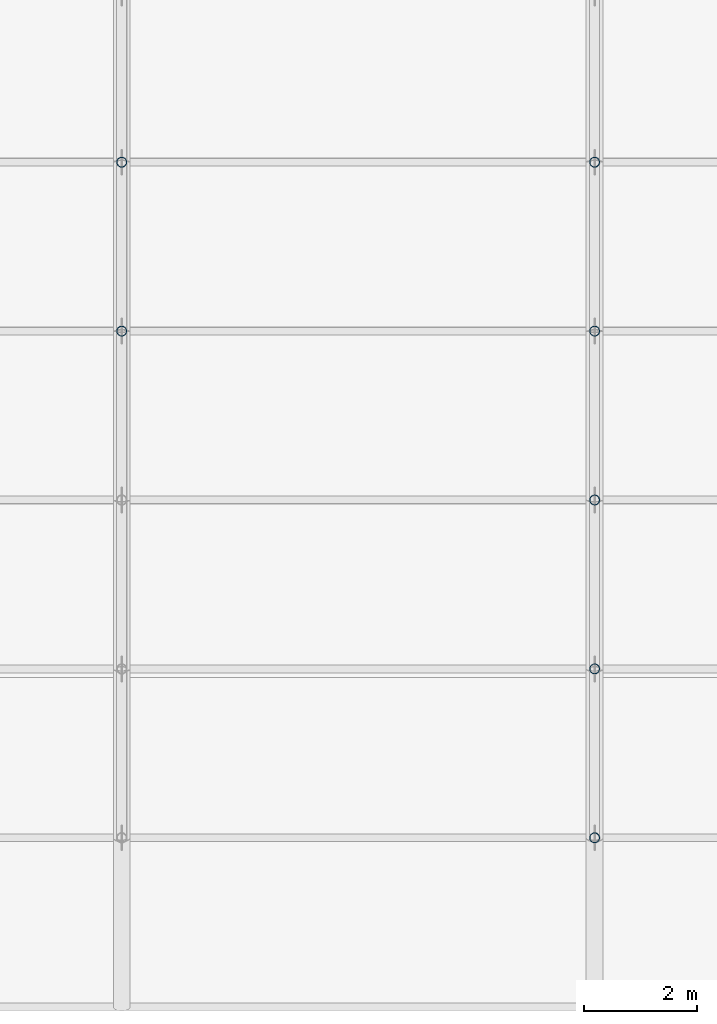
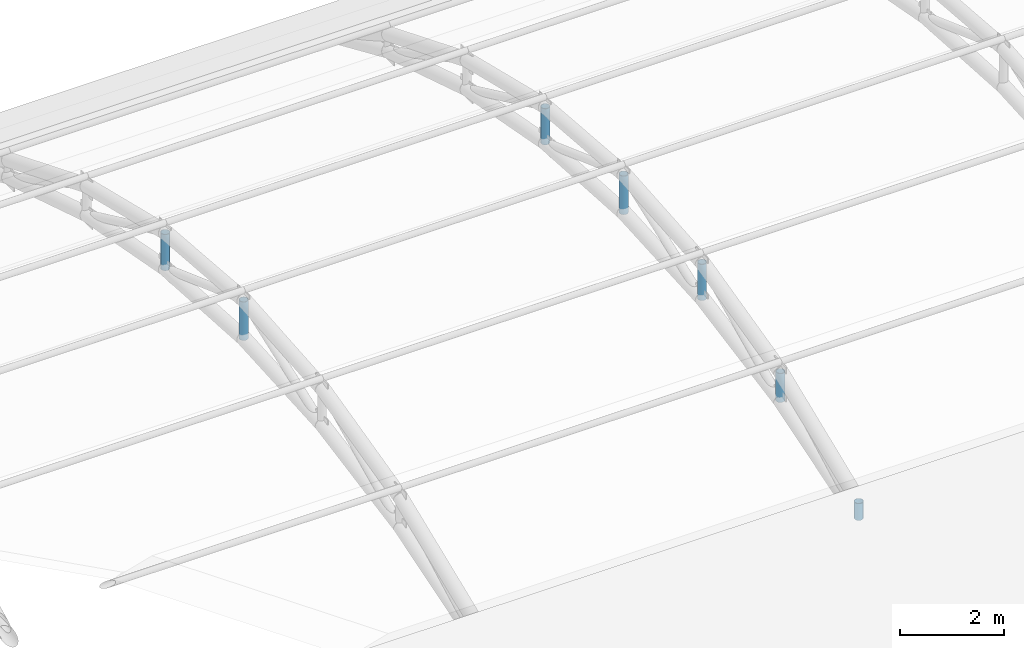
# One storey, part 84 of 163: 7 members.
"""IFC4 building model written with IfcOpenShell, lengths in metres."""

from ifc_helpers import new_model, si_unit, direction, frame, origin, origin_2d, place, context, subcontext, project, spatial, hollow_circle, extrude, material, material_profile, profile_set, type_object, element, save


model = new_model("IFC4")

# Units and contexts
model_context = context("Model", 3, precision=1e-05, world=origin(), true_north=direction((0.0, 1.0)))
body_context = subcontext(model_context, "Body", "Model", "MODEL_VIEW")
ifc_project = project(units=[si_unit("LENGTHUNIT", "METRE"), si_unit("AREAUNIT", "SQUARE_METRE"), si_unit("VOLUMEUNIT", "CUBIC_METRE"), si_unit("PLANEANGLEUNIT", "RADIAN"), si_unit("MASSUNIT", "GRAM", prefix="KILO")], contexts=[model_context])

# Site, building, storey
site_placement = place(None, origin())
site = spatial("IfcSite", under=ifc_project, at=site_placement, CompositionType="ELEMENT")
building_placement = place(site_placement, origin())
building = spatial("IfcBuilding", under=site, at=building_placement, Name="Rain Tree Exposition and Congress Centre", CompositionType="ELEMENT")
storey_placement = place(building_placement, frame((0.0, 0.0, 10.5)))
storey = spatial("IfcBuildingStorey", under=building, at=storey_placement, Name="L02", CompositionType="ELEMENT", Elevation=10.5)

# Members
ifc_material = material(Name="Steel S355J2H", Category="steel")
ifc_material_profile = material_profile(ifc_material, hollow_circle(Radius=0.090087890625, WallThickness=0.008056640625, at=origin_2d()), Name="CHS 180x8")
ifc_profile_set = profile_set([ifc_material_profile], Name="Steel S355J2H")
member_type = type_object("IfcMemberType", Name="Steel post member CHS 180x8", PredefinedType="POST", material=ifc_profile_set)
member_1_placement = place(storey_placement, frame((176.39990234375, 87.60009765625, 3.1298828125), z_axis=(0.0, 0.0, 1.0), x_axis=(1.0, 0.0, 0.0)))
element("IfcMember", 1, at=member_1_placement, inside=storey, type_object=member_type, Name="Roof truss 22 post 4", PredefinedType="POST", context=body_context, shape_type="SweptSolid", body=[
    extrude(hollow_circle(Radius=0.090087890625, WallThickness=0.008056640625, at=origin_2d()), origin(), (0.0, 0.0, 1.0), 0.900146484375),
])
member_2_placement = place(storey_placement, frame((176.39990234375, 90.60009765625, 2.9423828125), z_axis=(0.0, 0.0, 1.0), x_axis=(1.0, 0.0, 0.0)))
element("IfcMember", 2, at=member_2_placement, inside=storey, type_object=member_type, Name="Roof truss 22 post 5", PredefinedType="POST", context=body_context, shape_type="SweptSolid", body=[
    extrude(hollow_circle(Radius=0.090087890625, WallThickness=0.008056640625, at=origin_2d()), origin(), (0.0, 0.0, 1.0), 0.843994140625),
])
member_3_placement = place(storey_placement, frame((184.800048828125, 78.60009765625, 1.4423828125), z_axis=(0.0, 0.0, 1.0), x_axis=(1.0, 0.0, 0.0)))
element("IfcMember", 3, at=member_3_placement, inside=storey, type_object=member_type, Name="Roof truss 23 post 1", PredefinedType="POST", context=body_context, shape_type="SweptSolid", body=[
    extrude(hollow_circle(Radius=0.090087890625, WallThickness=0.008056640625, at=origin_2d()), origin(), (0.0, 0.0, 1.0), 0.393798828125),
])
member_4_placement = place(storey_placement, frame((184.800048828125, 81.60009765625, 2.3798828125), z_axis=(0.0, 0.0, 1.0), x_axis=(1.0, 0.0, 0.0)))
element("IfcMember", 4, at=member_4_placement, inside=storey, type_object=member_type, Name="Roof truss 23 post 2", PredefinedType="POST", context=body_context, shape_type="SweptSolid", body=[
    extrude(hollow_circle(Radius=0.090087890625, WallThickness=0.008056640625, at=origin_2d()), origin(), (0.0, 0.0, 1.0), 0.675048828125),
])
member_5_placement = place(storey_placement, frame((184.800048828125, 84.60009765625, 2.9423828125), z_axis=(0.0, 0.0, 1.0), x_axis=(1.0, 0.0, 0.0)))
element("IfcMember", 5, at=member_5_placement, inside=storey, type_object=member_type, Name="Roof truss 23 post 3", PredefinedType="POST", context=body_context, shape_type="SweptSolid", body=[
    extrude(hollow_circle(Radius=0.090087890625, WallThickness=0.008056640625, at=origin_2d()), origin(), (0.0, 0.0, 1.0), 0.843994140625),
])
member_6_placement = place(storey_placement, frame((184.800048828125, 87.60009765625, 3.1298828125), z_axis=(0.0, 0.0, 1.0), x_axis=(1.0, 0.0, 0.0)))
element("IfcMember", 6, at=member_6_placement, inside=storey, type_object=member_type, Name="Roof truss 23 post 4", PredefinedType="POST", context=body_context, shape_type="SweptSolid", body=[
    extrude(hollow_circle(Radius=0.090087890625, WallThickness=0.008056640625, at=origin_2d()), origin(), (0.0, 0.0, 1.0), 0.900146484375),
])
member_7_placement = place(storey_placement, frame((184.800048828125, 90.60009765625, 2.9423828125), z_axis=(0.0, 0.0, 1.0), x_axis=(1.0, 0.0, 0.0)))
element("IfcMember", 7, at=member_7_placement, inside=storey, type_object=member_type, Name="Roof truss 23 post 5", PredefinedType="POST", context=body_context, shape_type="SweptSolid", body=[
    extrude(hollow_circle(Radius=0.090087890625, WallThickness=0.008056640625, at=origin_2d()), origin(), (0.0, 0.0, 1.0), 0.843994140625),
])

save(model, "model.ifc")
